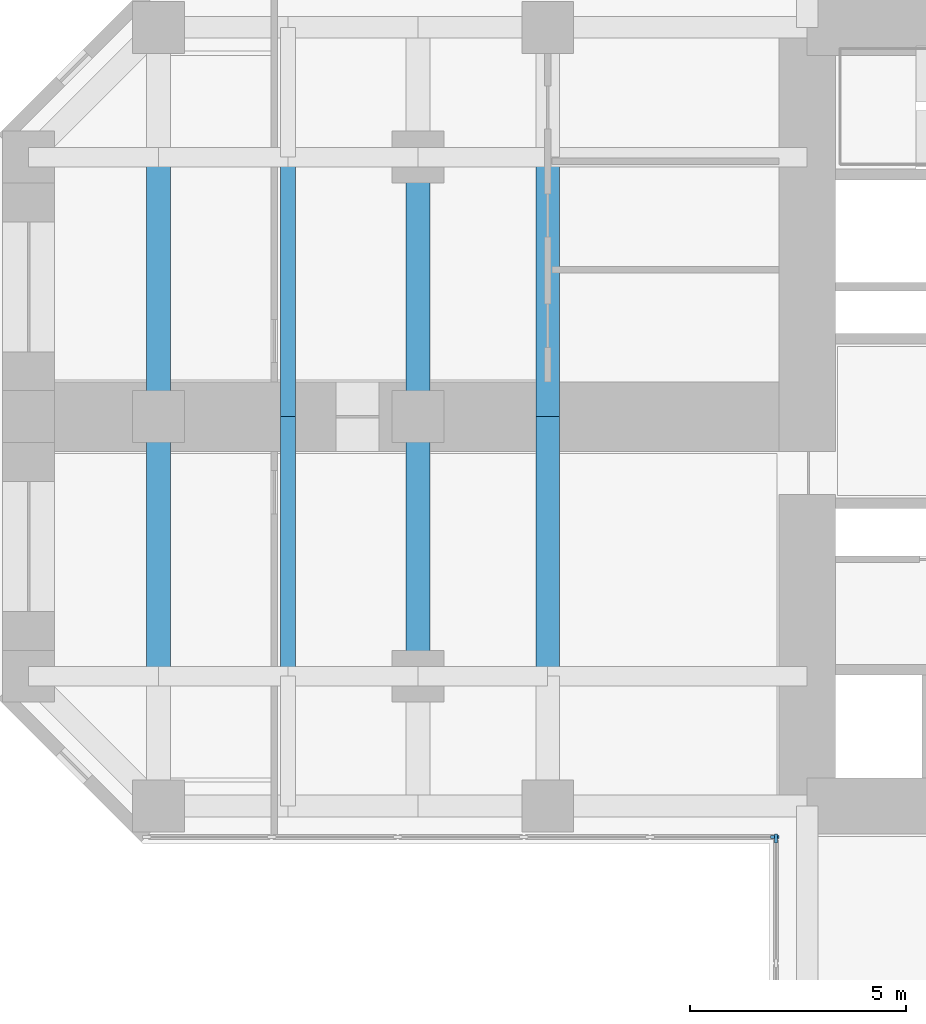
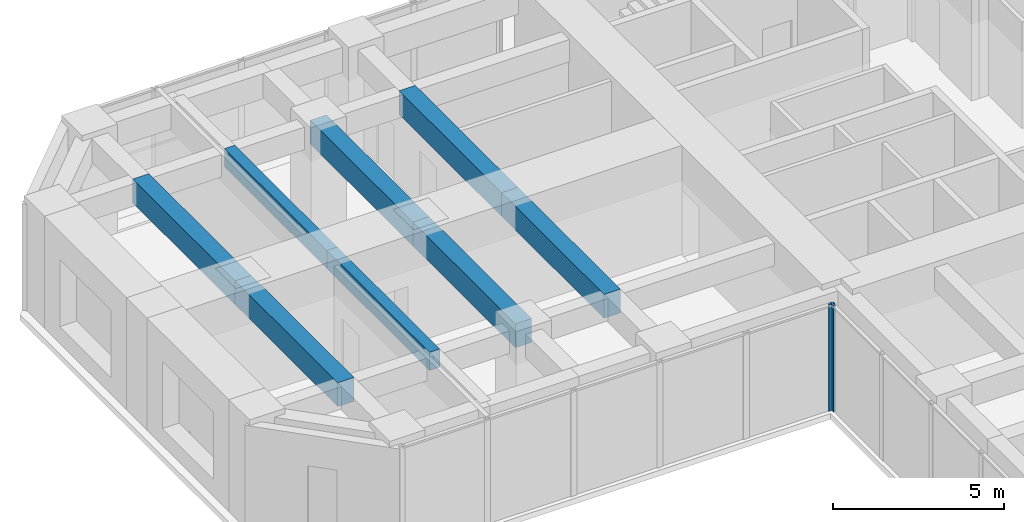
# One storey, part 3 of 13: 8 beams, 2 members, 2 elements without a shape of their own.
"""IFC4 building model written with IfcOpenShell, lengths in metres."""

import ifcopenshell
import ifcopenshell.guid

model = None  # the IFC model being written
_history = None  # IfcOwnerHistory: only IFC2X3 demands one
_inside = {}  # id of a spatial element -> (the spatial element, [elements in it])
_under = {}  # id of a project, library or spatial element -> (it, [spatial elements below it])
_declared = {}  # id of a project -> (the project, [libraries it declares])
_typed = {}  # id of a type object -> (the type object, [elements of that type])
_made_of = {}  # id of a material, layer set ... -> (it, [elements and type objects made of it])


def new_model(schema):
    """Start an empty IFC model of exactly this schema.

    Asked for "IFC4X3", IfcOpenShell would pick the latest addendum, in which some entities
    have other attributes; the version numbers below select the first issue.
    IFC2X3 requires an IfcOwnerHistory on every rooted entity: one is made here for all.
    """
    global model, _history
    if schema == "IFC4X3":
        model = ifcopenshell.file(schema_version=(4, 3, 0, 0))
    else:
        model = ifcopenshell.file(schema=schema)
    _inside.clear()
    _under.clear()
    _declared.clear()
    _typed.clear()
    _made_of.clear()
    _history = None
    if model.schema == "IFC2X3":
        org = make("IfcOrganization", Name="unknown")
        user = make(
            "IfcPersonAndOrganization",
            ThePerson=make("IfcPerson", FamilyName="unknown"),
            TheOrganization=org,
        )
        app = make(
            "IfcApplication",
            ApplicationDeveloper=org,
            Version="unknown",
            ApplicationFullName="unknown",
            ApplicationIdentifier="unknown",
        )
        _history = make(
            "IfcOwnerHistory",
            OwningUser=user,
            OwningApplication=app,
            ChangeAction="ADDED",
            CreationDate=0,
        )
    return model


def make(cls, **values):
    """One entity of the class cls with the attributes given. An attribute that is None is left unset."""
    return model.create_entity(
        cls, **{name: value for name, value in values.items() if value is not None}
    )


def rooted(cls, **values):
    """An entity with a GlobalId (a new one), such as an element, a storey or a relation."""
    return make(cls, GlobalId=ifcopenshell.guid.new(), OwnerHistory=_history, **values)


def si_unit(unit_type, name, prefix=None):
    """IfcSIUnit, for example si_unit("LENGTHUNIT", "METRE", prefix="MILLI")."""
    return make("IfcSIUnit", UnitType=unit_type, Prefix=prefix, Name=name)


def assignment(units):
    """IfcUnitAssignment: the units of a project."""
    return None if units is None else make("IfcUnitAssignment", Units=units)


def point(xyz):
    """IfcCartesianPoint."""
    return None if xyz is None else make("IfcCartesianPoint", Coordinates=xyz)


def direction(xyz):
    """IfcDirection."""
    return None if xyz is None else make("IfcDirection", DirectionRatios=xyz)


def frame(location, z_axis=None, x_axis=None):
    """IfcAxis2Placement3D, a coordinate frame: its origin and axes. An axis left out is left unset."""
    return make(
        "IfcAxis2Placement3D",
        Location=point(location),
        Axis=direction(z_axis),
        RefDirection=direction(x_axis),
    )


def frame_2d(location, x_axis=None):
    """IfcAxis2Placement2D, a coordinate frame in the plane: its origin and x axis."""
    return make(
        "IfcAxis2Placement2D", Location=point(location), RefDirection=direction(x_axis)
    )


def origin():
    """The frame at (0, 0, 0) with its axes left unset."""
    return frame((0.0, 0.0, 0.0))


def origin_2d():
    """The frame at (0, 0) in the plane with its x axis left unset."""
    return frame_2d((0.0, 0.0))


def place(relative_to, where):
    """IfcLocalPlacement: puts the frame where relative to a parent placement (None: the world)."""
    return make(
        "IfcLocalPlacement", PlacementRelTo=relative_to, RelativePlacement=where
    )


def context(
    kind, dimensions, precision=None, world=None, true_north=None, identifier=None
):
    """IfcGeometricRepresentationContext, for example the 3D "Model" context."""
    return make(
        "IfcGeometricRepresentationContext",
        ContextIdentifier=identifier,
        ContextType=kind,
        CoordinateSpaceDimension=dimensions,
        Precision=precision,
        WorldCoordinateSystem=world,
        TrueNorth=true_north,
    )


def subcontext(parent, identifier, kind, view, scale=None):
    """IfcGeometricRepresentationSubContext, for example "Body" below "Model"."""
    return make(
        "IfcGeometricRepresentationSubContext",
        ContextIdentifier=identifier,
        ContextType=kind,
        ParentContext=parent,
        TargetScale=scale,
        TargetView=view,
    )


def project(units=None, contexts=None):
    """IfcProject with its units and contexts."""
    return rooted(
        "IfcProject",
        Name="project",
        RepresentationContexts=contexts,
        UnitsInContext=assignment(units),
    )


def spatial(cls, under=None, at=None, **own):
    """A site, building, storey or space (cls), placed at a placement, below another one or the project."""
    s = rooted(cls, ObjectPlacement=at, **own)
    if under is not None:
        _under.setdefault(under.id(), (under, []))[1].append(s)
    return s


def profile(cls, at=None, kind="AREA", **sizes):
    """A parametric profile (cls). Its sizes go by their IFC names, for example OverallWidth=200.0."""
    return make(cls, ProfileType=kind, Position=at, **sizes)


def rectangle(**sizes):
    """IfcRectangleProfileDef."""
    return profile("IfcRectangleProfileDef", **sizes)


def extrude(swept, where, along, depth):
    """IfcExtrudedAreaSolid: the profile swept, set in the frame where, extruded along a direction by depth."""
    return make(
        "IfcExtrudedAreaSolid",
        SweptArea=swept,
        Position=where,
        ExtrudedDirection=direction(along),
        Depth=depth,
    )


def shape(context_of_items, identifier, shape_type, items):
    """IfcShapeRepresentation: the items that make up one representation, for example the "Body"."""
    return make(
        "IfcShapeRepresentation",
        ContextOfItems=context_of_items,
        RepresentationIdentifier=identifier,
        RepresentationType=shape_type,
        Items=items,
    )


def material(Name=None, Category=None):
    """IfcMaterial."""
    return make("IfcMaterial", Name=Name, Category=Category)


def material_profile(
    of_material, cross_section, Name=None, Category=None, Priority=None
):
    """IfcMaterialProfile: a cross section and its material."""
    return make(
        "IfcMaterialProfile",
        Name=Name,
        Material=of_material,
        Profile=cross_section,
        Priority=Priority,
        Category=Category,
    )


def profile_set(profiles, Name=None, composite=None):
    """IfcMaterialProfileSet."""
    return make(
        "IfcMaterialProfileSet",
        Name=Name,
        MaterialProfiles=profiles,
        CompositeProfile=composite,
    )


def made_of(thing, what):
    """Note that an element or type object is made of a material, layer set ...; save() writes the relation."""
    if what is not None:
        _made_of.setdefault(what.id(), (what, []))[1].append(thing)
    return thing


def type_object(cls, material=None, **own):
    """A type object (cls), such as IfcWallType, which elements share."""
    return made_of(rooted(cls, **own), material)


def element(
    cls,
    number,
    at=None,
    inside=None,
    cuts=None,
    type_object=None,
    material=None,
    context=None,
    identifier="Body",
    shape_type=None,
    held_by="IfcProductDefinitionShape",
    body=None,
    shapes=None,
    **own,
):
    """One element of the class cls, such as IfcWall. Its Tag is "e" and its number.

    at: its placement. inside: the storey or other place that contains it. cuts: it is an
    opening in that element (IfcRelVoidsElement). A single representation is given by context,
    identifier, shape_type and body (its items); several are given by shapes. held_by: the class
    of the entity that holds the representations. save() writes the other relations.
    """
    e = rooted(cls, Tag="e%d" % number, ObjectPlacement=at, **own)
    if body is not None:
        shapes = [shape(context, identifier, shape_type, body)]
    if shapes is not None:
        e.Representation = make(held_by, Representations=shapes)
    if inside is not None:
        _inside.setdefault(inside.id(), (inside, []))[1].append(e)
    if cuts is not None:
        rooted(
            "IfcRelVoidsElement", RelatingBuildingElement=cuts, RelatedOpeningElement=e
        )
    if type_object is not None:
        _typed.setdefault(type_object.id(), (type_object, []))[1].append(e)
    return made_of(e, material)


def aggregate(whole, parts):
    """IfcRelAggregates: a whole, such as a stair, and the parts it consists of."""
    return rooted("IfcRelAggregates", RelatingObject=whole, RelatedObjects=parts)


def save(model, path):
    """Write the relations noted so far, then the file.

    IfcRelAggregates (storeys below a building ...), IfcRelContainedInSpatialStructure (elements
    in a storey), IfcRelDefinesByType, IfcRelAssociatesMaterial and IfcRelDeclares: one each for
    every whole, place, type object, material and project.
    """
    for whole, parts in _under.values():
        aggregate(whole, parts)
    for where, things in _inside.values():
        rooted(
            "IfcRelContainedInSpatialStructure",
            RelatedElements=things,
            RelatingStructure=where,
        )
    for kind, things in _typed.values():
        rooted("IfcRelDefinesByType", RelatedObjects=things, RelatingType=kind)
    for what, things in _made_of.values():
        rooted("IfcRelAssociatesMaterial", RelatedObjects=things, RelatingMaterial=what)
    for by, libraries in _declared.values():
        rooted("IfcRelDeclares", RelatingContext=by, RelatedDefinitions=libraries)
    model.write(path)


model = new_model("IFC4")

# Units and contexts
model_context = context("Model", 3, precision=1e-05, world=origin(), true_north=direction((0.0, 1.0)))
body_context = subcontext(model_context, "Body", "Model", "MODEL_VIEW")
ifc_project = project(units=[si_unit("LENGTHUNIT", "METRE"), si_unit("AREAUNIT", "SQUARE_METRE"), si_unit("VOLUMEUNIT", "CUBIC_METRE"), si_unit("PLANEANGLEUNIT", "RADIAN"), si_unit("MASSUNIT", "GRAM", prefix="KILO")], contexts=[model_context])

# Site, building, storey
site_placement = place(None, origin())
site = spatial("IfcSite", under=ifc_project, at=site_placement, CompositionType="ELEMENT")
building_placement = place(site_placement, origin())
building = spatial("IfcBuilding", under=site, at=building_placement, Name="Torre Cruceta", CompositionType="ELEMENT")
storey_placement = place(building_placement, frame((0.0, 0.0, 27.5)))
storey = spatial("IfcBuildingStorey", under=building, at=storey_placement, Name="L06", CompositionType="ELEMENT", Elevation=27.5)

# Beams
ifc_material_1 = material(Name="Concrete G60 (fck 60 MPa)", Category="concrete")
ifc_material_profile_1 = material_profile(ifc_material_1, rectangle(XDim=0.550048828125, YDim=0.85009765625, at=origin_2d()), Name="RC 550X850")
ifc_profile_set_1 = profile_set([ifc_material_profile_1], Name="Concrete G60 (fck 60 MPa)")
beam_type_1 = type_object("IfcBeamType", Name="CROSS BEAM RC 550X850", PredefinedType="BEAM", material=ifc_profile_set_1)
for number, where, z_axis, x_axis, name in (
    (1, (-15.0, 6.0, 3.375), (0.0, -1.0, 0.0), (1.0, 0.0, 0.0), "GB4 L06 W cross15 2"),
    (2, (-15.0, 0.0, 3.375), (0.0, -1.0, 0.0), (1.0, 0.0, 0.0), "GB4 L06 W cross15 3"),
    (3, (-18.0, 6.0, 3.375), (0.0, -1.0, 0.0), (1.0, 0.0, 0.0), "GB4 L06 W cross18 2"),
    (4, (-18.0, 0.0, 3.375), (0.0, -1.0, 0.0), (1.0, 0.0, 0.0), "GB4 L06 W cross18 3"),
    (5, (-24.0, 6.0, 3.375), (0.0, -1.0, 0.0), (1.0, 0.0, 0.0), "GB4 L06 W cross24 2"),
    (6, (-24.0, 0.0, 3.375), (0.0, -1.0, 0.0), (1.0, 0.0, 0.0), "GB4 L06 W cross24 3"),
):
    element("IfcBeam", number, at=place(storey_placement, frame(where, z_axis=z_axis, x_axis=x_axis)), inside=storey, type_object=beam_type_1, Name=name, PredefinedType="BEAM", context=body_context, shape_type="SweptSolid", body=[
        extrude(rectangle(XDim=0.550048828125, YDim=0.85009765625, at=origin_2d()), origin(), (0.0, 0.0, 1.0), 6.0),
    ])

# Curtain wall, member
ifc_material_2 = material(Name="Aluminium unitised curtain wall", Category="aluminium")
curtain_wall_type = type_object("IfcCurtainWallType", Name="CURTAIN WALL CW-A OFFICE LOW RISE", PredefinedType="USERDEFINED", material=ifc_material_2)
curtain_wall_1_placement = place(storey_placement, origin())
curtain_wall_1 = element("IfcCurtainWall", 7, at=curtain_wall_1_placement, inside=storey, type_object=curtain_wall_type, Name="CW-A L06 W side 14", ObjectType="UNITISED", PredefinedType="USERDEFINED")
ifc_material_3 = material(Name="Aluminium mullion", Category="aluminium")
ifc_material_profile_2 = material_profile(ifc_material_3, rectangle(XDim=0.06494140625, YDim=0.199951171875, at=origin_2d()), Name="AL 65X200")
ifc_profile_set_2 = profile_set([ifc_material_profile_2], Name="Aluminium mullion")
member_type = type_object("IfcMemberType", Name="CW-A MULLION 65X200", PredefinedType="MULLION", material=ifc_profile_set_2)
member_1_placement = place(storey_placement, frame((-9.75244140625, -9.719970703125, 0.0), z_axis=(0.0, 0.0, 1.0), x_axis=(0.0, 1.0, 0.0)))
member_1 = element("IfcMember", 8, at=member_1_placement, type_object=member_type, Name="CW-A mullion 6", PredefinedType="MULLION", context=body_context, shape_type="SweptSolid", body=[
    extrude(rectangle(XDim=0.06494140625, YDim=0.199951171875, at=origin_2d()), origin(), (0.0, 0.0, 1.0), 3.800048828125),
])
aggregate(curtain_wall_1, [member_1])

curtain_wall_2_placement = place(storey_placement, origin())
curtain_wall_2 = element("IfcCurtainWall", 9, at=curtain_wall_2_placement, inside=storey, type_object=curtain_wall_type, Name="CW-A L06 S side 15", ObjectType="UNITISED", PredefinedType="USERDEFINED")
member_2_placement = place(storey_placement, frame((-9.719970703125, -9.75244140625, 0.0), z_axis=(0.0, 0.0, 1.0), x_axis=(1.0, 0.0, 0.0)))
member_2 = element("IfcMember", 10, at=member_2_placement, type_object=member_type, Name="CW-A mullion 1", PredefinedType="MULLION", context=body_context, shape_type="SweptSolid", body=[
    extrude(rectangle(XDim=0.06494140625, YDim=0.199951171875, at=origin_2d()), origin(), (0.0, 0.0, 1.0), 3.800048828125),
])
aggregate(curtain_wall_2, [member_2])

# Beams
ifc_material_4 = material(Name="Concrete G60 (fck 60 MPa)", Category="concrete")
ifc_material_profile_3 = material_profile(ifc_material_4, rectangle(XDim=0.35009765625, YDim=0.64990234375, at=origin_2d()), Name="RC 350X650")
ifc_profile_set_3 = profile_set([ifc_material_profile_3], Name="Concrete G60 (fck 60 MPa)")
beam_type_2 = type_object("IfcBeamType", Name="SECONDARY BEAM RC 350X650", PredefinedType="JOIST", material=ifc_profile_set_3)
for number, where, z_axis, x_axis, name in (
    (11, (-21.0, 6.0, 3.47509765625), (0.0, -1.0, 0.0), (1.0, 0.0, 0.0), "JB3 L06 W sec21 2"),
    (12, (-21.0, 0.0, 3.47509765625), (0.0, -1.0, 0.0), (1.0, 0.0, 0.0), "JB3 L06 W sec21 3"),
):
    element("IfcBeam", number, at=place(storey_placement, frame(where, z_axis=z_axis, x_axis=x_axis)), inside=storey, type_object=beam_type_2, Name=name, PredefinedType="JOIST", context=body_context, shape_type="SweptSolid", body=[
        extrude(rectangle(XDim=0.35009765625, YDim=0.64990234375, at=origin_2d()), origin(), (0.0, 0.0, 1.0), 6.0),
    ])

save(model, "model.ifc")
